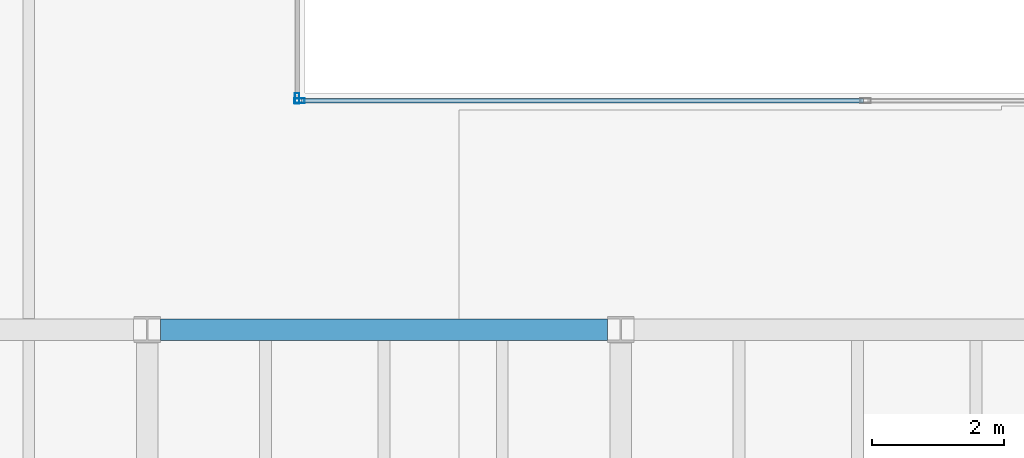
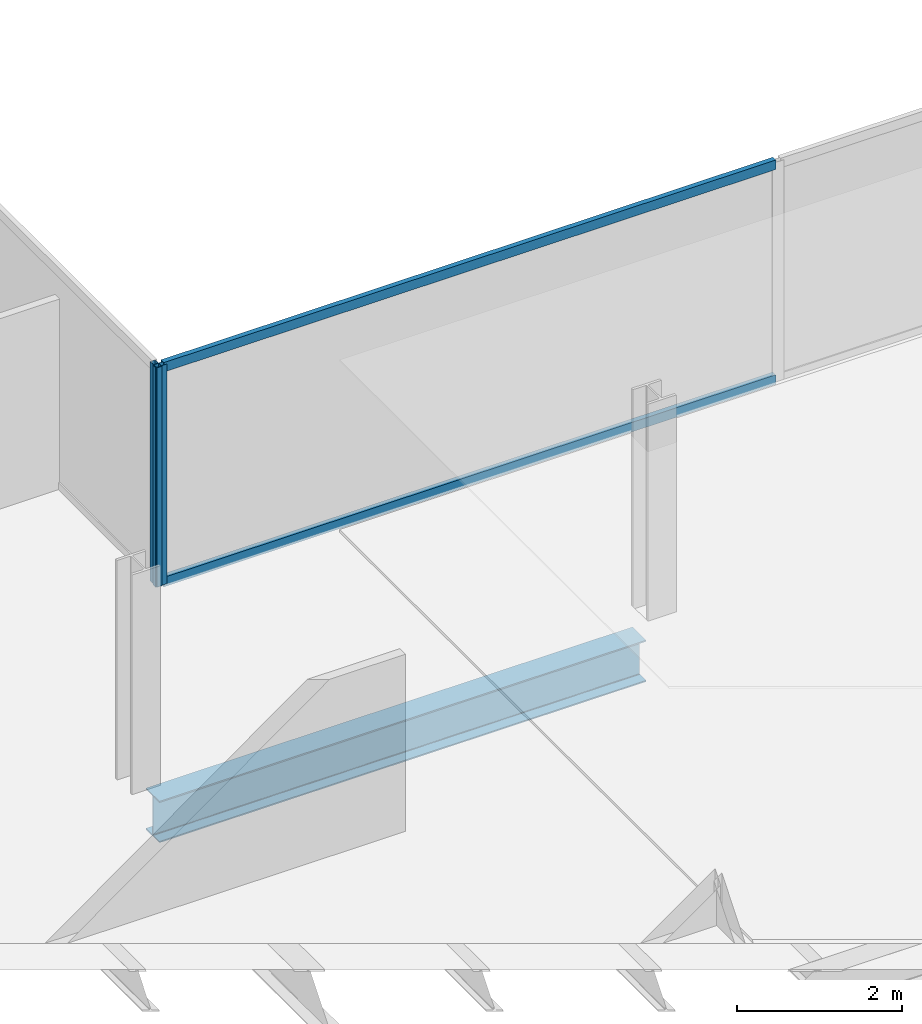
# One storey, part 8 of 23: 4 members, 1 beam, 2 elements without a shape of their own.
"""IFC4 building model written with IfcOpenShell, lengths in metres."""

from ifc_helpers import new_model, si_unit, direction, frame, origin, origin_2d, place, context, subcontext, project, spatial, hollow_rectangle, i_section, extrude, material, material_profile, profile_set, type_object, element, aggregate, save


model = new_model("IFC4")

# Units and contexts
model_context = context("Model", 3, precision=1e-05, world=origin(), true_north=direction((0.0, 1.0)))
body_context = subcontext(model_context, "Body", "Model", "MODEL_VIEW")
ifc_project = project(units=[si_unit("LENGTHUNIT", "METRE"), si_unit("AREAUNIT", "SQUARE_METRE"), si_unit("VOLUMEUNIT", "CUBIC_METRE"), si_unit("PLANEANGLEUNIT", "RADIAN"), si_unit("MASSUNIT", "GRAM", prefix="KILO")], contexts=[model_context])

# Site, building, storey
site_placement = place(None, origin())
site = spatial("IfcSite", under=ifc_project, at=site_placement, CompositionType="ELEMENT")
building_placement = place(site_placement, origin())
building = spatial("IfcBuilding", under=site, at=building_placement, Name="Cobrela Telecom Tower", CompositionType="ELEMENT")
storey_placement = place(building_placement, frame((0.0, 0.0, 225.75)))
storey = spatial("IfcBuildingStorey", under=building, at=storey_placement, Name="L58", CompositionType="ELEMENT", Elevation=225.75)

# Beam
ifc_material_1 = material(Name="Steel ASTM A992 Grade 50", Category="steel")
ifc_material_profile_1 = material_profile(ifc_material_1, i_section(OverallWidth=0.324951171875, OverallDepth=0.612060546875, WebThickness=0.0126953125, FlangeThickness=0.01904296875, FilletRadius=0.014892578125, at=origin_2d()), Name="W24X104")
ifc_profile_set_1 = profile_set([ifc_material_profile_1], Name="Steel ASTM A992 Grade 50")
beam_type = type_object("IfcBeamType", Name="BM-GIRD-07", PredefinedType="USERDEFINED", material=ifc_profile_set_1)
beam_placement = place(storey_placement, frame((21.804443359375, 21.60009765625, -0.56591796875), z_axis=(1.0, 0.0, 0.0), x_axis=(0.0, 1.0, 0.0)))
element("IfcBeam", 1, at=beam_placement, inside=storey, type_object=beam_type, Name="L58 Primary Girder X16", ObjectType="GIRDER", PredefinedType="USERDEFINED", context=body_context, shape_type="SweptSolid", body=[
    extrude(i_section(OverallWidth=0.324951171875, OverallDepth=0.612060546875, WebThickness=0.0126953125, FlangeThickness=0.01904296875, FilletRadius=0.014892578125, at=origin_2d()), origin(), (0.0, 0.0, 1.0), 6.791015625),
])

# Curtain wall, member
ifc_material_2 = material(Name="Anodized Bronze Aluminium 6063-T6", Category="aluminium")
curtain_wall_type = type_object("IfcCurtainWallType", Name="CW-SYS-OFF-LO", PredefinedType="USERDEFINED", material=ifc_material_2)
curtain_wall_1_placement = place(storey_placement, origin())
curtain_wall_1 = element("IfcCurtainWall", 2, at=curtain_wall_1_placement, inside=storey, type_object=curtain_wall_type, Name="L58 Unitised Bronze Curtain Wall 10", ObjectType="UNITISED CURTAIN WALL", PredefinedType="USERDEFINED")
ifc_material_profile_2 = material_profile(ifc_material_2, hollow_rectangle(XDim=0.070068359375, YDim=0.159912109375, WallThickness=0.00390625, at=origin_2d()), Name="ALU 70x160x4")
ifc_profile_set_2 = profile_set([ifc_material_profile_2], Name="Anodized Bronze Aluminium 6063-T6")
member_type_1 = type_object("IfcMemberType", Name="CW-SYS-OFF-LO-MUL", PredefinedType="MULLION", material=ifc_profile_set_2)
member_1_placement = place(storey_placement, frame((23.8798828125, 25.114990234375, 0.0), z_axis=(0.0, 0.0, 1.0), x_axis=(1.0, 0.0, 0.0)))
member_1 = element("IfcMember", 3, at=member_1_placement, type_object=member_type_1, Name="CW-OFF-LO mullion 3", PredefinedType="MULLION", context=body_context, shape_type="SweptSolid", body=[
    extrude(hollow_rectangle(XDim=0.070068359375, YDim=0.159912109375, WallThickness=0.00390625, at=origin_2d()), origin(), (0.0, 0.0, 1.0), 3.239990234375),
])
aggregate(curtain_wall_1, [member_1])

# Curtain wall, members
curtain_wall_2_placement = place(storey_placement, origin())
curtain_wall_2 = element("IfcCurtainWall", 4, at=curtain_wall_2_placement, inside=storey, type_object=curtain_wall_type, Name="L58 Unitised Bronze Curtain Wall 11", ObjectType="UNITISED CURTAIN WALL", PredefinedType="USERDEFINED")
member_2_placement = place(storey_placement, frame((23.9150390625, 25.080078125, 0.0), z_axis=(0.0, 0.0, 1.0), x_axis=(0.0, 1.0, 0.0)))
member_2 = element("IfcMember", 5, at=member_2_placement, type_object=member_type_1, Name="CW-OFF-LO mullion 1", PredefinedType="MULLION", context=body_context, shape_type="SweptSolid", body=[
    extrude(hollow_rectangle(XDim=0.070068359375, YDim=0.159912109375, WallThickness=0.00390625, at=origin_2d()), origin(), (0.0, 0.0, 1.0), 3.239990234375),
])
ifc_material_profile_3 = material_profile(ifc_material_2, hollow_rectangle(XDim=0.070068359375, YDim=0.139892578125, WallThickness=0.00390625, at=origin_2d()), Name="ALU 70x140x4")
ifc_profile_set_3 = profile_set([ifc_material_profile_3], Name="Anodized Bronze Aluminium 6063-T6")
member_type_2 = type_object("IfcMemberType", Name="CW-SYS-OFF-LO-TRN", PredefinedType="USERDEFINED", material=ifc_profile_set_3)
member_3_placement = place(storey_placement, frame((23.949951171875, 25.080078125, 0.034912109375), z_axis=(1.0, 0.0, 0.0), x_axis=(0.0, 1.0, 0.0)))
member_3 = element("IfcMember", 6, at=member_3_placement, type_object=member_type_2, Name="CW-OFF-LO transom 1.1", ObjectType="TRANSOM", PredefinedType="USERDEFINED", context=body_context, shape_type="SweptSolid", body=[
    extrude(hollow_rectangle(XDim=0.070068359375, YDim=0.139892578125, WallThickness=0.00390625, at=origin_2d()), origin(), (0.0, 0.0, 1.0), 8.5400390625),
])
member_4_placement = place(storey_placement, frame((23.949951171875, 25.080078125, 3.205078125), z_axis=(1.0, 0.0, 0.0), x_axis=(0.0, 1.0, 0.0)))
member_4 = element("IfcMember", 7, at=member_4_placement, type_object=member_type_2, Name="CW-OFF-LO transom 1.2", ObjectType="TRANSOM", PredefinedType="USERDEFINED", context=body_context, shape_type="SweptSolid", body=[
    extrude(hollow_rectangle(XDim=0.070068359375, YDim=0.139892578125, WallThickness=0.00390625, at=origin_2d()), origin(), (0.0, 0.0, 1.0), 8.5400390625),
])
aggregate(curtain_wall_2, [member_2, member_3, member_4])

save(model, "model.ifc")
